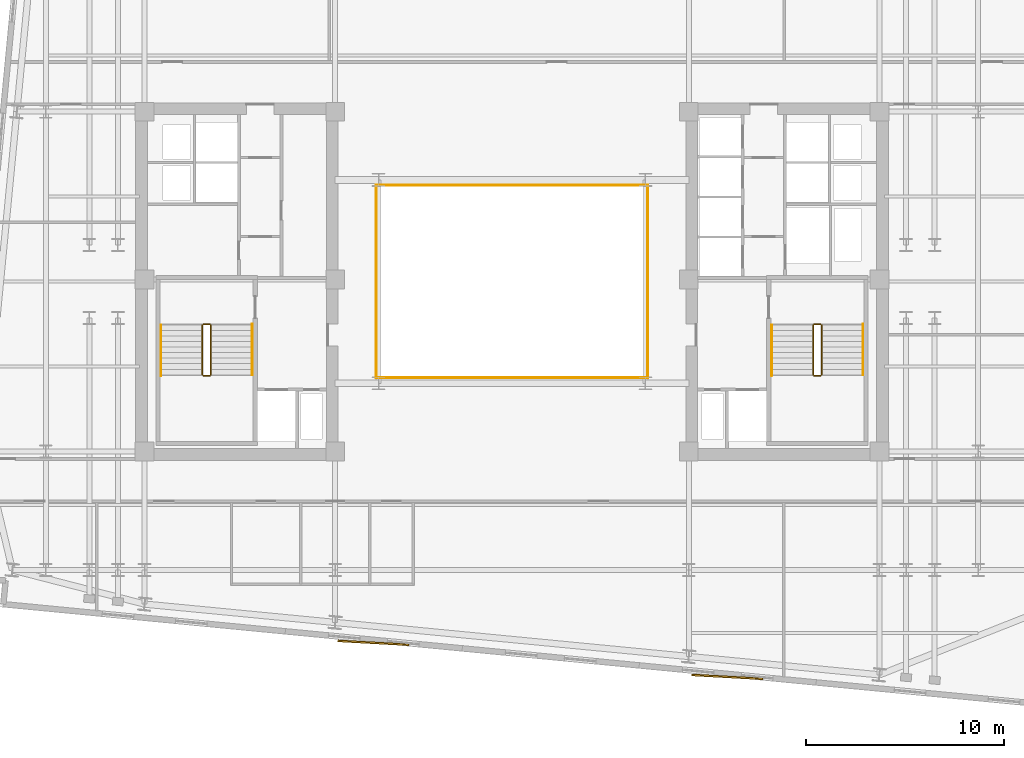
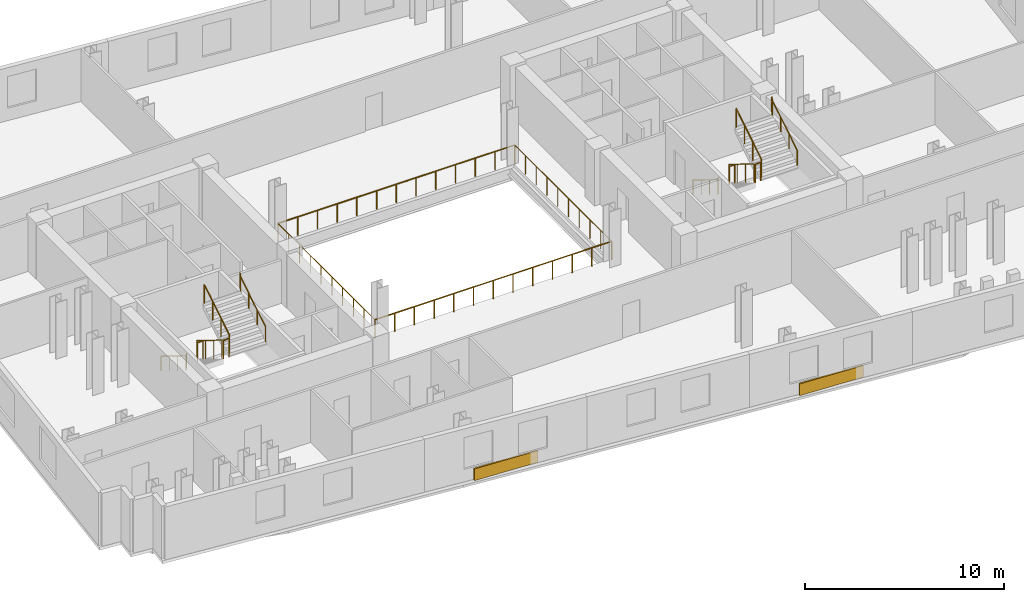
# One storey, part 8 of 9: 16 railings, 2 coverings.
"""IFC4 building model written with IfcOpenShell, lengths in metres."""

from ifc_helpers import new_model, si_unit, direction, frame, origin, origin_2d, place, context, subcontext, project, spatial, rectangle, circle, extrude, material, layer, layer_set, type_object, element, save


model = new_model("IFC4")

# Units and contexts
model_context = context("Model", 3, precision=1e-05, world=origin(), true_north=direction((0.0, 1.0)))
body_context = subcontext(model_context, "Body", "Model", "MODEL_VIEW")
ifc_project = project(units=[si_unit("LENGTHUNIT", "METRE"), si_unit("AREAUNIT", "SQUARE_METRE"), si_unit("VOLUMEUNIT", "CUBIC_METRE"), si_unit("PLANEANGLEUNIT", "RADIAN"), si_unit("MASSUNIT", "GRAM", prefix="KILO")], contexts=[model_context])

# Site, building, storey
site_placement = place(None, origin())
site = spatial("IfcSite", under=ifc_project, at=site_placement, CompositionType="ELEMENT")
building_placement = place(site_placement, origin())
building = spatial("IfcBuilding", under=site, at=building_placement, Name="Velakula Bourse", CompositionType="ELEMENT")
storey_placement = place(building_placement, frame((0.0, 0.0, 163.85009765625)))
storey = spatial("IfcBuildingStorey", under=building, at=storey_placement, Name="L44", CompositionType="ELEMENT", Elevation=163.85009765625)

# Coverings
ifc_material_1 = material(Name="Buff kilned clay facing brick masonry", Category="masonry")
ifc_layer = layer(ifc_material_1, 0.074951171875, Name="Buff kilned clay facing brick masonry", Category="masonry")
ifc_layer_set = layer_set([ifc_layer], Name="Buff kilned clay facing brick masonry")
covering_type = type_object("IfcCoveringType", Name="COV-BRK-SPN-75", PredefinedType="CLADDING", material=ifc_layer_set)
for number, where, z_axis, x_axis, name in (
    (1, (-7.01220703125, -18.288330078125, 0.0), (0.0, 0.0, 1.0), (0.998489097451, -0.054950179912, 0.0), "L44 Folded Brick Facade Cladding Panel S-B2"),
    (2, (10.905029296875, -20.013671875, 0.0), (0.0, 0.0, 1.0), (0.998489097451, -0.054950179912, 0.0), "L44 Folded Brick Facade Cladding Panel S-B4"),
):
    element("IfcCovering", number, at=place(storey_placement, frame(where, z_axis=z_axis, x_axis=x_axis)), inside=storey, type_object=covering_type, Name=name, PredefinedType="CLADDING", context=body_context, shape_type="SweptSolid", body=[
        extrude(rectangle(XDim=3.60009765625, YDim=0.090087890625, at=origin_2d()), origin(), (0.0, 0.0, 1.0), 0.719970703125),
    ])

# Railings
ifc_material_2 = material(Name="Brushed grade 316 stainless steel", Category="steel")
railing_type_1 = type_object("IfcRailingType", Name="RLG-ATRIUM-1150", PredefinedType="BALUSTRADE", material=ifc_material_2)
railing_1_placement = place(storey_placement, frame((-6.8798828125, -4.8798828125, 0.0)))
element("IfcRailing", 3, at=railing_1_placement, inside=storey, type_object=railing_type_1, Name="L44 Central Trading Atrium Balustrade S", PredefinedType="BALUSTRADE", context=body_context, shape_type="SweptSolid", body=[
    extrude(circle(Radius=0.02392578125, at=origin_2d()), frame((0.0, 0.0, 1.1259765625), z_axis=(1.0, 0.0, 0.0), x_axis=(0.0, 1.0, 0.0)), (0.0, 0.0, 1.0), 13.759765625),
    extrude(circle(Radius=0.02099609375, at=origin_2d()), origin(), (0.0, 0.0, 1.0), 1.101806640625),
    extrude(circle(Radius=0.02099609375, at=origin_2d()), frame((1.146728515625, 0.0, 0.0)), (0.0, 0.0, 1.0), 1.101806640625),
    extrude(circle(Radius=0.02099609375, at=origin_2d()), frame((2.293212890625, 0.0, 0.0)), (0.0, 0.0, 1.0), 1.101806640625),
    extrude(circle(Radius=0.02099609375, at=origin_2d()), frame((3.43994140625, 0.0, 0.0)), (0.0, 0.0, 1.0), 1.101806640625),
    extrude(circle(Radius=0.02099609375, at=origin_2d()), frame((4.586669921875, 0.0, 0.0)), (0.0, 0.0, 1.0), 1.101806640625),
    extrude(circle(Radius=0.02099609375, at=origin_2d()), frame((5.733154296875, 0.0, 0.0)), (0.0, 0.0, 1.0), 1.101806640625),
    extrude(circle(Radius=0.02099609375, at=origin_2d()), frame((6.8798828125, 0.0, 0.0)), (0.0, 0.0, 1.0), 1.101806640625),
    extrude(circle(Radius=0.02099609375, at=origin_2d()), frame((8.026611328125, 0.0, 0.0)), (0.0, 0.0, 1.0), 1.101806640625),
    extrude(circle(Radius=0.02099609375, at=origin_2d()), frame((9.173095703125, 0.0, 0.0)), (0.0, 0.0, 1.0), 1.101806640625),
    extrude(circle(Radius=0.02099609375, at=origin_2d()), frame((10.31982421875, 0.0, 0.0)), (0.0, 0.0, 1.0), 1.101806640625),
    extrude(circle(Radius=0.02099609375, at=origin_2d()), frame((11.466552734375, 0.0, 0.0)), (0.0, 0.0, 1.0), 1.101806640625),
    extrude(circle(Radius=0.02099609375, at=origin_2d()), frame((12.613037109375, 0.0, 0.0)), (0.0, 0.0, 1.0), 1.101806640625),
    extrude(circle(Radius=0.02099609375, at=origin_2d()), frame((13.759765625, 0.0, 0.0)), (0.0, 0.0, 1.0), 1.101806640625),
])
railing_2_placement = place(storey_placement, frame((6.8798828125, -4.8798828125, 0.0)))
element("IfcRailing", 4, at=railing_2_placement, inside=storey, type_object=railing_type_1, Name="L44 Central Trading Atrium Balustrade E", PredefinedType="BALUSTRADE", context=body_context, shape_type="SweptSolid", body=[
    extrude(circle(Radius=0.02392578125, at=origin_2d()), frame((0.0, 0.0, 1.1259765625), z_axis=(0.0, 1.0, 0.0), x_axis=(-1.0, 0.0, 0.0)), (0.0, 0.0, 1.0), 9.759765625),
    extrude(circle(Radius=0.02099609375, at=origin_2d()), origin(), (0.0, 0.0, 1.0), 1.101806640625),
    extrude(circle(Radius=0.02099609375, at=origin_2d()), frame((0.0, 1.08447265625, 0.0)), (0.0, 0.0, 1.0), 1.101806640625),
    extrude(circle(Radius=0.02099609375, at=origin_2d()), frame((0.0, 2.1689453125, 0.0)), (0.0, 0.0, 1.0), 1.101806640625),
    extrude(circle(Radius=0.02099609375, at=origin_2d()), frame((0.0, 3.253173828125, 0.0)), (0.0, 0.0, 1.0), 1.101806640625),
    extrude(circle(Radius=0.02099609375, at=origin_2d()), frame((0.0, 4.337646484375, 0.0)), (0.0, 0.0, 1.0), 1.101806640625),
    extrude(circle(Radius=0.02099609375, at=origin_2d()), frame((0.0, 5.422119140625, 0.0)), (0.0, 0.0, 1.0), 1.101806640625),
    extrude(circle(Radius=0.02099609375, at=origin_2d()), frame((0.0, 6.506591796875, 0.0)), (0.0, 0.0, 1.0), 1.101806640625),
    extrude(circle(Radius=0.02099609375, at=origin_2d()), frame((0.0, 7.5908203125, 0.0)), (0.0, 0.0, 1.0), 1.101806640625),
    extrude(circle(Radius=0.02099609375, at=origin_2d()), frame((0.0, 8.67529296875, 0.0)), (0.0, 0.0, 1.0), 1.101806640625),
    extrude(circle(Radius=0.02099609375, at=origin_2d()), frame((0.0, 9.759765625, 0.0)), (0.0, 0.0, 1.0), 1.101806640625),
])
railing_3_placement = place(storey_placement, frame((6.8798828125, 4.8798828125, 0.0)))
element("IfcRailing", 5, at=railing_3_placement, inside=storey, type_object=railing_type_1, Name="L44 Central Trading Atrium Balustrade N", PredefinedType="BALUSTRADE", context=body_context, shape_type="SweptSolid", body=[
    extrude(circle(Radius=0.02392578125, at=origin_2d()), frame((0.0, 0.0, 1.1259765625), z_axis=(-1.0, 0.0, 0.0), x_axis=(0.0, -1.0, 0.0)), (0.0, 0.0, 1.0), 13.759765625),
    extrude(circle(Radius=0.02099609375, at=origin_2d()), origin(), (0.0, 0.0, 1.0), 1.101806640625),
    extrude(circle(Radius=0.02099609375, at=origin_2d()), frame((-1.146728515625, 0.0, 0.0)), (0.0, 0.0, 1.0), 1.101806640625),
    extrude(circle(Radius=0.02099609375, at=origin_2d()), frame((-2.293212890625, 0.0, 0.0)), (0.0, 0.0, 1.0), 1.101806640625),
    extrude(circle(Radius=0.02099609375, at=origin_2d()), frame((-3.43994140625, 0.0, 0.0)), (0.0, 0.0, 1.0), 1.101806640625),
    extrude(circle(Radius=0.02099609375, at=origin_2d()), frame((-4.586669921875, 0.0, 0.0)), (0.0, 0.0, 1.0), 1.101806640625),
    extrude(circle(Radius=0.02099609375, at=origin_2d()), frame((-5.733154296875, 0.0, 0.0)), (0.0, 0.0, 1.0), 1.101806640625),
    extrude(circle(Radius=0.02099609375, at=origin_2d()), frame((-6.8798828125, 0.0, 0.0)), (0.0, 0.0, 1.0), 1.101806640625),
    extrude(circle(Radius=0.02099609375, at=origin_2d()), frame((-8.026611328125, 0.0, 0.0)), (0.0, 0.0, 1.0), 1.101806640625),
    extrude(circle(Radius=0.02099609375, at=origin_2d()), frame((-9.173095703125, 0.0, 0.0)), (0.0, 0.0, 1.0), 1.101806640625),
    extrude(circle(Radius=0.02099609375, at=origin_2d()), frame((-10.31982421875, 0.0, 0.0)), (0.0, 0.0, 1.0), 1.101806640625),
    extrude(circle(Radius=0.02099609375, at=origin_2d()), frame((-11.466552734375, 0.0, 0.0)), (0.0, 0.0, 1.0), 1.101806640625),
    extrude(circle(Radius=0.02099609375, at=origin_2d()), frame((-12.613037109375, 0.0, 0.0)), (0.0, 0.0, 1.0), 1.101806640625),
    extrude(circle(Radius=0.02099609375, at=origin_2d()), frame((-13.759765625, 0.0, 0.0)), (0.0, 0.0, 1.0), 1.101806640625),
])
railing_4_placement = place(storey_placement, frame((-6.8798828125, 4.8798828125, 0.0)))
element("IfcRailing", 6, at=railing_4_placement, inside=storey, type_object=railing_type_1, Name="L44 Central Trading Atrium Balustrade W", PredefinedType="BALUSTRADE", context=body_context, shape_type="SweptSolid", body=[
    extrude(circle(Radius=0.02392578125, at=origin_2d()), frame((0.0, 0.0, 1.1259765625), z_axis=(0.0, -1.0, 0.0), x_axis=(1.0, 0.0, 0.0)), (0.0, 0.0, 1.0), 9.759765625),
    extrude(circle(Radius=0.02099609375, at=origin_2d()), origin(), (0.0, 0.0, 1.0), 1.101806640625),
    extrude(circle(Radius=0.02099609375, at=origin_2d()), frame((0.0, -1.08447265625, 0.0)), (0.0, 0.0, 1.0), 1.101806640625),
    extrude(circle(Radius=0.02099609375, at=origin_2d()), frame((0.0, -2.1689453125, 0.0)), (0.0, 0.0, 1.0), 1.101806640625),
    extrude(circle(Radius=0.02099609375, at=origin_2d()), frame((0.0, -3.253173828125, 0.0)), (0.0, 0.0, 1.0), 1.101806640625),
    extrude(circle(Radius=0.02099609375, at=origin_2d()), frame((0.0, -4.337646484375, 0.0)), (0.0, 0.0, 1.0), 1.101806640625),
    extrude(circle(Radius=0.02099609375, at=origin_2d()), frame((0.0, -5.422119140625, 0.0)), (0.0, 0.0, 1.0), 1.101806640625),
    extrude(circle(Radius=0.02099609375, at=origin_2d()), frame((0.0, -6.506591796875, 0.0)), (0.0, 0.0, 1.0), 1.101806640625),
    extrude(circle(Radius=0.02099609375, at=origin_2d()), frame((0.0, -7.5908203125, 0.0)), (0.0, 0.0, 1.0), 1.101806640625),
    extrude(circle(Radius=0.02099609375, at=origin_2d()), frame((0.0, -8.67529296875, 0.0)), (0.0, 0.0, 1.0), 1.101806640625),
    extrude(circle(Radius=0.02099609375, at=origin_2d()), frame((0.0, -9.759765625, 0.0)), (0.0, 0.0, 1.0), 1.101806640625),
])
railing_type_2 = type_object("IfcRailingType", Name="RLG-STAIR-GUARD-1150", PredefinedType="BALUSTRADE", material=ifc_material_2)
railing_5_placement = place(storey_placement, frame((-15.672119140625, -2.199951171875, 0.17236328125)))
element("IfcRailing", 7, at=railing_5_placement, inside=storey, type_object=railing_type_2, Name="L44 ST-W1 stair guard 1", PredefinedType="BALUSTRADE", context=body_context, shape_type="SweptSolid", body=[
    extrude(circle(Radius=0.02490234375, at=origin_2d()), frame((0.0, 0.0, 1.125), z_axis=(0.0, -0.851400495292, 0.524516154772), x_axis=(1.0, 0.0, 0.0)), (0.0, 0.0, 1.0), 2.9599609375),
    extrude(circle(Radius=0.02099609375, at=origin_2d()), origin(), (0.0, 0.0, 1.0), 1.099853515625),
    extrude(circle(Radius=0.02099609375, at=origin_2d()), frame((0.0, -0.840087890625, 0.517578125)), (0.0, 0.0, 1.0), 1.099853515625),
    extrude(circle(Radius=0.02099609375, at=origin_2d()), frame((0.0, -1.679931640625, 1.034912109375)), (0.0, 0.0, 1.0), 1.099853515625),
    extrude(circle(Radius=0.02099609375, at=origin_2d()), frame((0.0, -2.52001953125, 1.552490234375)), (0.0, 0.0, 1.0), 1.099853515625),
])
railing_6_placement = place(storey_placement, frame((-15.6220703125, -4.77001953125, 1.724853515625)))
element("IfcRailing", 8, at=railing_6_placement, inside=storey, type_object=railing_type_2, Name="L44 ST-W1 stair guard 2", PredefinedType="BALUSTRADE", context=body_context, shape_type="SweptSolid", body=[
    extrude(circle(Radius=0.02490234375, at=origin_2d()), frame((0.0, 0.0, 1.125), z_axis=(1.0, 0.0, 0.0), x_axis=(0.0, 1.0, 0.0)), (0.0, 0.0, 1.0), 0.323974609375),
    extrude(circle(Radius=0.02099609375, at=origin_2d()), origin(), (0.0, 0.0, 1.0), 1.099853515625),
    extrude(circle(Radius=0.02099609375, at=origin_2d()), frame((0.323974609375, 0.0, 0.0)), (0.0, 0.0, 1.0), 1.099853515625),
])
railing_7_placement = place(storey_placement, frame((-15.248046875, -4.719970703125, 1.8974609375)))
element("IfcRailing", 9, at=railing_7_placement, inside=storey, type_object=railing_type_2, Name="L44 ST-W1 stair guard 3", PredefinedType="BALUSTRADE", context=body_context, shape_type="SweptSolid", body=[
    extrude(circle(Radius=0.02490234375, at=origin_2d()), frame((0.0, 0.0, 1.125), z_axis=(0.0, 0.851400495292, 0.524516154772), x_axis=(-1.0, 0.0, 0.0)), (0.0, 0.0, 1.0), 2.9599609375),
    extrude(circle(Radius=0.02099609375, at=origin_2d()), origin(), (0.0, 0.0, 1.0), 1.099853515625),
    extrude(circle(Radius=0.02099609375, at=origin_2d()), frame((0.0, 0.840087890625, 0.517578125)), (0.0, 0.0, 1.0), 1.099853515625),
    extrude(circle(Radius=0.02099609375, at=origin_2d()), frame((0.0, 1.679931640625, 1.034912109375)), (0.0, 0.0, 1.0), 1.099853515625),
    extrude(circle(Radius=0.02099609375, at=origin_2d()), frame((0.0, 2.52001953125, 1.552490234375)), (0.0, 0.0, 1.0), 1.099853515625),
])
railing_8_placement = place(storey_placement, frame((-15.6220703125, -2.14990234375, 0.0)))
element("IfcRailing", 10, at=railing_8_placement, inside=storey, type_object=railing_type_2, Name="L44 ST-W1 stair guard 4", PredefinedType="BALUSTRADE", context=body_context, shape_type="SweptSolid", body=[
    extrude(circle(Radius=0.02490234375, at=origin_2d()), frame((0.0, 0.0, 1.125), z_axis=(1.0, 0.0, 0.0), x_axis=(0.0, 1.0, 0.0)), (0.0, 0.0, 1.0), 0.323974609375),
    extrude(circle(Radius=0.02099609375, at=origin_2d()), origin(), (0.0, 0.0, 1.0), 1.099853515625),
    extrude(circle(Radius=0.02099609375, at=origin_2d()), frame((0.323974609375, 0.0, 0.0)), (0.0, 0.0, 1.0), 1.099853515625),
])
railing_9_placement = place(storey_placement, frame((15.248046875, -2.199951171875, 0.17236328125)))
element("IfcRailing", 11, at=railing_9_placement, inside=storey, type_object=railing_type_2, Name="L44 ST-E1 stair guard 1", PredefinedType="BALUSTRADE", context=body_context, shape_type="SweptSolid", body=[
    extrude(circle(Radius=0.02490234375, at=origin_2d()), frame((0.0, 0.0, 1.125), z_axis=(0.0, -0.851400495292, 0.524516154772), x_axis=(1.0, 0.0, 0.0)), (0.0, 0.0, 1.0), 2.9599609375),
    extrude(circle(Radius=0.02099609375, at=origin_2d()), origin(), (0.0, 0.0, 1.0), 1.099853515625),
    extrude(circle(Radius=0.02099609375, at=origin_2d()), frame((0.0, -0.840087890625, 0.517578125)), (0.0, 0.0, 1.0), 1.099853515625),
    extrude(circle(Radius=0.02099609375, at=origin_2d()), frame((0.0, -1.679931640625, 1.034912109375)), (0.0, 0.0, 1.0), 1.099853515625),
    extrude(circle(Radius=0.02099609375, at=origin_2d()), frame((0.0, -2.52001953125, 1.552490234375)), (0.0, 0.0, 1.0), 1.099853515625),
])
railing_10_placement = place(storey_placement, frame((15.298095703125, -4.77001953125, 1.724853515625)))
element("IfcRailing", 12, at=railing_10_placement, inside=storey, type_object=railing_type_2, Name="L44 ST-E1 stair guard 2", PredefinedType="BALUSTRADE", context=body_context, shape_type="SweptSolid", body=[
    extrude(circle(Radius=0.02490234375, at=origin_2d()), frame((0.0, 0.0, 1.125), z_axis=(1.0, 0.0, 0.0), x_axis=(0.0, 1.0, 0.0)), (0.0, 0.0, 1.0), 0.323974609375),
    extrude(circle(Radius=0.02099609375, at=origin_2d()), origin(), (0.0, 0.0, 1.0), 1.099853515625),
    extrude(circle(Radius=0.02099609375, at=origin_2d()), frame((0.323974609375, 0.0, 0.0)), (0.0, 0.0, 1.0), 1.099853515625),
])
railing_11_placement = place(storey_placement, frame((15.672119140625, -4.719970703125, 1.8974609375)))
element("IfcRailing", 13, at=railing_11_placement, inside=storey, type_object=railing_type_2, Name="L44 ST-E1 stair guard 3", PredefinedType="BALUSTRADE", context=body_context, shape_type="SweptSolid", body=[
    extrude(circle(Radius=0.02490234375, at=origin_2d()), frame((0.0, 0.0, 1.125), z_axis=(0.0, 0.851400495292, 0.524516154772), x_axis=(-1.0, 0.0, 0.0)), (0.0, 0.0, 1.0), 2.9599609375),
    extrude(circle(Radius=0.02099609375, at=origin_2d()), origin(), (0.0, 0.0, 1.0), 1.099853515625),
    extrude(circle(Radius=0.02099609375, at=origin_2d()), frame((0.0, 0.840087890625, 0.517578125)), (0.0, 0.0, 1.0), 1.099853515625),
    extrude(circle(Radius=0.02099609375, at=origin_2d()), frame((0.0, 1.679931640625, 1.034912109375)), (0.0, 0.0, 1.0), 1.099853515625),
    extrude(circle(Radius=0.02099609375, at=origin_2d()), frame((0.0, 2.52001953125, 1.552490234375)), (0.0, 0.0, 1.0), 1.099853515625),
])
railing_12_placement = place(storey_placement, frame((15.298095703125, -2.14990234375, 0.0)))
element("IfcRailing", 14, at=railing_12_placement, inside=storey, type_object=railing_type_2, Name="L44 ST-E1 stair guard 4", PredefinedType="BALUSTRADE", context=body_context, shape_type="SweptSolid", body=[
    extrude(circle(Radius=0.02490234375, at=origin_2d()), frame((0.0, 0.0, 1.125), z_axis=(1.0, 0.0, 0.0), x_axis=(0.0, 1.0, 0.0)), (0.0, 0.0, 1.0), 0.323974609375),
    extrude(circle(Radius=0.02099609375, at=origin_2d()), origin(), (0.0, 0.0, 1.0), 1.099853515625),
    extrude(circle(Radius=0.02099609375, at=origin_2d()), frame((0.323974609375, 0.0, 0.0)), (0.0, 0.0, 1.0), 1.099853515625),
])
railing_type_3 = type_object("IfcRailingType", Name="RLG-STAIR-HAND-920", PredefinedType="HANDRAIL", material=ifc_material_2)
railing_13_placement = place(storey_placement, frame((-17.77001953125, -2.199951171875, 0.17236328125)))
element("IfcRailing", 15, at=railing_13_placement, inside=storey, type_object=railing_type_3, Name="L44 ST-W1 stair handrail 1", PredefinedType="HANDRAIL", context=body_context, shape_type="SweptSolid", body=[
    extrude(circle(Radius=0.02099609375, at=origin_2d()), frame((0.0, 0.0, 0.89892578125), z_axis=(0.0, -0.851400495292, 0.524516154772), x_axis=(1.0, 0.0, 0.0)), (0.0, 0.0, 1.0), 2.9599609375),
    extrude(circle(Radius=0.02099609375, at=origin_2d()), frame((0.0, -2.52001953125, 2.451416015625), z_axis=(0.0, -0.22596628056, 0.974135124123), x_axis=(1.0, 0.0, 0.0)), (0.0, 0.0, 1.0), 0.17724609375),
    extrude(circle(Radius=0.02099609375, at=origin_2d()), frame((0.0, -2.56005859375, 2.6240234375), z_axis=(0.0, -1.0, 0.0), x_axis=(1.0, 0.0, 0.0)), (0.0, 0.0, 1.0), 0.0048828125),
    extrude(circle(Radius=0.02099609375, at=origin_2d()), origin(), (0.0, 0.0, 1.0), 0.8779296875),
    extrude(circle(Radius=0.02099609375, at=origin_2d()), frame((0.0, -0.840087890625, 0.517578125)), (0.0, 0.0, 1.0), 0.8779296875),
    extrude(circle(Radius=0.02099609375, at=origin_2d()), frame((0.0, -1.679931640625, 1.034912109375)), (0.0, 0.0, 1.0), 0.8779296875),
    extrude(circle(Radius=0.02099609375, at=origin_2d()), frame((0.0, -2.52001953125, 1.552490234375)), (0.0, 0.0, 1.0), 0.8779296875),
    extrude(circle(Radius=0.02099609375, at=origin_2d()), frame((0.0, -2.56005859375, 1.72509765625)), (0.0, 0.0, 1.0), 0.8779296875),
    extrude(circle(Radius=0.02099609375, at=origin_2d()), frame((0.0, -2.56494140625, 1.72509765625)), (0.0, 0.0, 1.0), 0.8779296875),
])
railing_14_placement = place(storey_placement, frame((-13.14990234375, -4.719970703125, 1.8974609375)))
element("IfcRailing", 16, at=railing_14_placement, inside=storey, type_object=railing_type_3, Name="L44 ST-W1 stair handrail 2", PredefinedType="HANDRAIL", context=body_context, shape_type="SweptSolid", body=[
    extrude(circle(Radius=0.02099609375, at=origin_2d()), frame((0.0, 0.0, 0.89892578125), z_axis=(0.0, 0.851400495292, 0.524516154772), x_axis=(-1.0, 0.0, 0.0)), (0.0, 0.0, 1.0), 2.9599609375),
    extrude(circle(Radius=0.02099609375, at=origin_2d()), frame((0.0, 2.52001953125, 2.451416015625), z_axis=(0.0, 0.226269970362, 0.974064628509), x_axis=(-1.0, 0.0, 0.0)), (0.0, 0.0, 1.0), 0.177001953125),
    extrude(circle(Radius=0.02099609375, at=origin_2d()), frame((0.0, 2.56005859375, 2.623779296875), z_axis=(0.0, 1.0, 0.0), x_axis=(-1.0, 0.0, 0.0)), (0.0, 0.0, 1.0), 0.0048828125),
    extrude(circle(Radius=0.02099609375, at=origin_2d()), origin(), (0.0, 0.0, 1.0), 0.8779296875),
    extrude(circle(Radius=0.02099609375, at=origin_2d()), frame((0.0, 0.840087890625, 0.517578125)), (0.0, 0.0, 1.0), 0.8779296875),
    extrude(circle(Radius=0.02099609375, at=origin_2d()), frame((0.0, 1.679931640625, 1.034912109375)), (0.0, 0.0, 1.0), 0.8779296875),
    extrude(circle(Radius=0.02099609375, at=origin_2d()), frame((0.0, 2.52001953125, 1.552490234375)), (0.0, 0.0, 1.0), 0.8779296875),
    extrude(circle(Radius=0.02099609375, at=origin_2d()), frame((0.0, 2.56005859375, 1.724853515625)), (0.0, 0.0, 1.0), 0.8779296875),
    extrude(circle(Radius=0.02099609375, at=origin_2d()), frame((0.0, 2.56494140625, 1.724853515625)), (0.0, 0.0, 1.0), 0.8779296875),
])
railing_15_placement = place(storey_placement, frame((13.14990234375, -2.199951171875, 0.17236328125)))
element("IfcRailing", 17, at=railing_15_placement, inside=storey, type_object=railing_type_3, Name="L44 ST-E1 stair handrail 1", PredefinedType="HANDRAIL", context=body_context, shape_type="SweptSolid", body=[
    extrude(circle(Radius=0.02099609375, at=origin_2d()), frame((0.0, 0.0, 0.89892578125), z_axis=(0.0, -0.851400495292, 0.524516154772), x_axis=(1.0, 0.0, 0.0)), (0.0, 0.0, 1.0), 2.9599609375),
    extrude(circle(Radius=0.02099609375, at=origin_2d()), frame((0.0, -2.52001953125, 2.451416015625), z_axis=(0.0, -0.22596628056, 0.974135124123), x_axis=(1.0, 0.0, 0.0)), (0.0, 0.0, 1.0), 0.17724609375),
    extrude(circle(Radius=0.02099609375, at=origin_2d()), frame((0.0, -2.56005859375, 2.6240234375), z_axis=(0.0, -1.0, 0.0), x_axis=(1.0, 0.0, 0.0)), (0.0, 0.0, 1.0), 0.0048828125),
    extrude(circle(Radius=0.02099609375, at=origin_2d()), origin(), (0.0, 0.0, 1.0), 0.8779296875),
    extrude(circle(Radius=0.02099609375, at=origin_2d()), frame((0.0, -0.840087890625, 0.517578125)), (0.0, 0.0, 1.0), 0.8779296875),
    extrude(circle(Radius=0.02099609375, at=origin_2d()), frame((0.0, -1.679931640625, 1.034912109375)), (0.0, 0.0, 1.0), 0.8779296875),
    extrude(circle(Radius=0.02099609375, at=origin_2d()), frame((0.0, -2.52001953125, 1.552490234375)), (0.0, 0.0, 1.0), 0.8779296875),
    extrude(circle(Radius=0.02099609375, at=origin_2d()), frame((0.0, -2.56005859375, 1.72509765625)), (0.0, 0.0, 1.0), 0.8779296875),
    extrude(circle(Radius=0.02099609375, at=origin_2d()), frame((0.0, -2.56494140625, 1.72509765625)), (0.0, 0.0, 1.0), 0.8779296875),
])
railing_16_placement = place(storey_placement, frame((17.77001953125, -4.719970703125, 1.8974609375)))
element("IfcRailing", 18, at=railing_16_placement, inside=storey, type_object=railing_type_3, Name="L44 ST-E1 stair handrail 2", PredefinedType="HANDRAIL", context=body_context, shape_type="SweptSolid", body=[
    extrude(circle(Radius=0.02099609375, at=origin_2d()), frame((0.0, 0.0, 0.89892578125), z_axis=(0.0, 0.851400495292, 0.524516154772), x_axis=(-1.0, 0.0, 0.0)), (0.0, 0.0, 1.0), 2.9599609375),
    extrude(circle(Radius=0.02099609375, at=origin_2d()), frame((0.0, 2.52001953125, 2.451416015625), z_axis=(0.0, 0.226269970362, 0.974064628509), x_axis=(-1.0, 0.0, 0.0)), (0.0, 0.0, 1.0), 0.177001953125),
    extrude(circle(Radius=0.02099609375, at=origin_2d()), frame((0.0, 2.56005859375, 2.623779296875), z_axis=(0.0, 1.0, 0.0), x_axis=(-1.0, 0.0, 0.0)), (0.0, 0.0, 1.0), 0.0048828125),
    extrude(circle(Radius=0.02099609375, at=origin_2d()), origin(), (0.0, 0.0, 1.0), 0.8779296875),
    extrude(circle(Radius=0.02099609375, at=origin_2d()), frame((0.0, 0.840087890625, 0.517578125)), (0.0, 0.0, 1.0), 0.8779296875),
    extrude(circle(Radius=0.02099609375, at=origin_2d()), frame((0.0, 1.679931640625, 1.034912109375)), (0.0, 0.0, 1.0), 0.8779296875),
    extrude(circle(Radius=0.02099609375, at=origin_2d()), frame((0.0, 2.52001953125, 1.552490234375)), (0.0, 0.0, 1.0), 0.8779296875),
    extrude(circle(Radius=0.02099609375, at=origin_2d()), frame((0.0, 2.56005859375, 1.724853515625)), (0.0, 0.0, 1.0), 0.8779296875),
    extrude(circle(Radius=0.02099609375, at=origin_2d()), frame((0.0, 2.56494140625, 1.724853515625)), (0.0, 0.0, 1.0), 0.8779296875),
])

save(model, "model.ifc")
